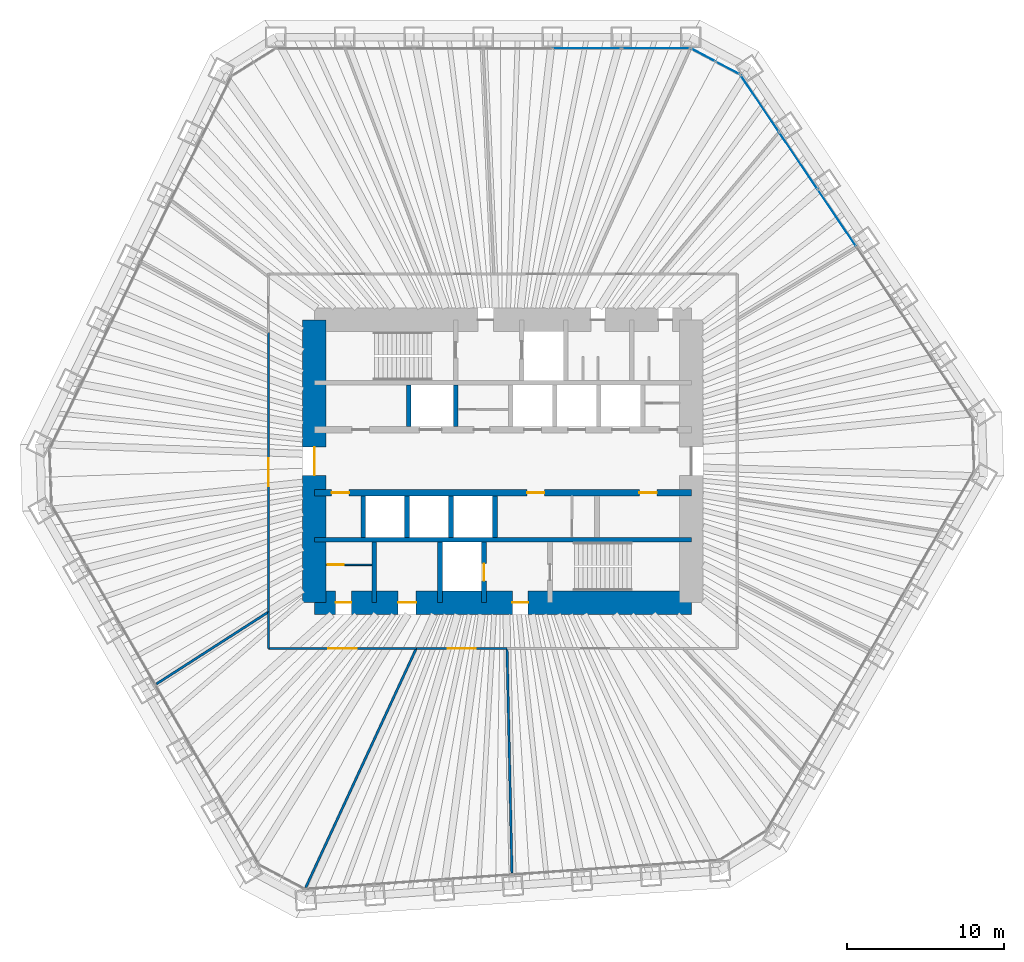
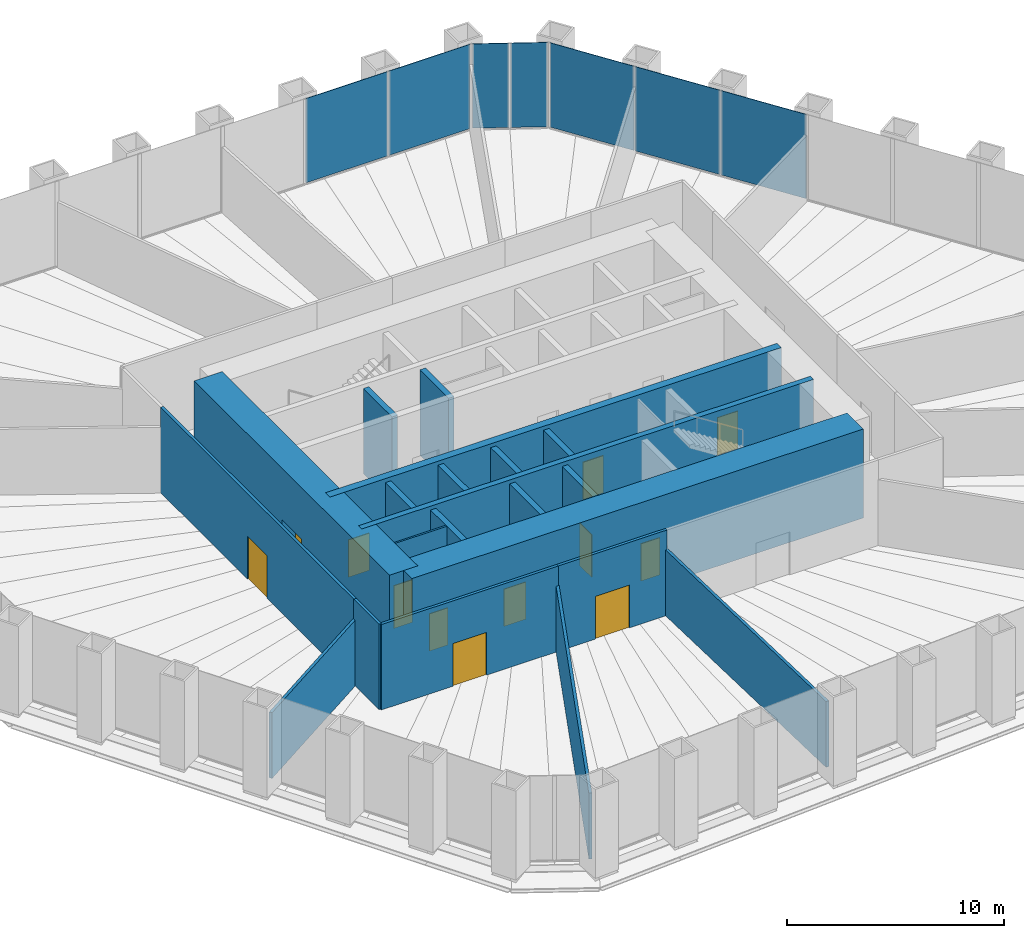
# One storey, part 10 of 14: 21 walls, 12 doors, 7 plates, 12 openings, 3 elements without a shape of their own.
"""IFC4 building model written with IfcOpenShell, lengths in metres."""

from ifc_helpers import new_model, si_unit, direction, frame, frame_2d, origin, origin_2d, place, context, subcontext, project, spatial, rectangle, extrude, material, layer, layer_set, type_object, element, fill, aggregate, save


model = new_model("IFC4")

# Units and contexts
model_context = context("Model", 3, precision=1e-05, world=origin(), true_north=direction((0.0, 1.0)))
body_context = subcontext(model_context, "Body", "Model", "MODEL_VIEW")
ifc_project = project(units=[si_unit("LENGTHUNIT", "METRE"), si_unit("AREAUNIT", "SQUARE_METRE"), si_unit("VOLUMEUNIT", "CUBIC_METRE"), si_unit("PLANEANGLEUNIT", "RADIAN"), si_unit("MASSUNIT", "GRAM", prefix="KILO")], contexts=[model_context])

# Site, building, storey
site_placement = place(None, origin())
site = spatial("IfcSite", under=ifc_project, at=site_placement, CompositionType="ELEMENT")
building_placement = place(site_placement, origin())
building = spatial("IfcBuilding", under=site, at=building_placement, Name="Qingtian Harvest Tower", CompositionType="ELEMENT")
storey_placement = place(building_placement, frame((0.0, 0.0, 57.0)))
storey = spatial("IfcBuildingStorey", under=building, at=storey_placement, Name="L11", CompositionType="ELEMENT", Elevation=57.0)

# Curtain wall, plates
ifc_material_1 = material(Name="Bronze-anodised aluminium curtain wall", Category="aluminium")
curtain_wall_type = type_object("IfcCurtainWallType", Name="Curtain wall CW2 farm reception", PredefinedType="USERDEFINED", material=ifc_material_1)
curtain_wall_1_placement = place(storey_placement, origin())
curtain_wall_1 = element("IfcCurtainWall", 1, at=curtain_wall_1_placement, inside=storey, type_object=curtain_wall_type, Name="Curtain wall CW2 L11 N0-5", ObjectType="RECESSED CURTAIN WALL", PredefinedType="USERDEFINED")
ifc_material_2 = material(Name="Bronze-tinted laminated insulating glass", Category="glass")
ifc_layer_1 = layer(ifc_material_2, 0.030029296875)
ifc_layer_set_1 = layer_set([ifc_layer_1], Name="Glazed panel CWP tinted IGU")
plate_type = type_object("IfcPlateType", Name="Glazed panel CWP tinted IGU", PredefinedType="CURTAIN_PANEL", material=ifc_layer_set_1)
plate_1_placement = place(storey_placement, frame((5.349365234375, 26.300048828125, 0.06494140625), z_axis=(0.0, 0.0, 1.0), x_axis=(1.0, 0.0, 0.0)))
plate_1 = element("IfcPlate", 2, at=plate_1_placement, type_object=plate_type, Name="CW2 panel 5.1", PredefinedType="CURTAIN_PANEL", context=body_context, shape_type="SweptSolid", body=[
    extrude(rectangle(XDim=4.339599609375, YDim=0.030029296875, at=origin_2d()), origin(), (0.0, 0.0, 1.0), 4.735107421875),
])
plate_2_placement = place(storey_placement, frame((9.737548828125, 26.300048828125, 0.06494140625), z_axis=(0.0, 0.0, 1.0), x_axis=(1.0, 0.0, 0.0)))
plate_2 = element("IfcPlate", 3, at=plate_2_placement, type_object=plate_type, Name="CW2 panel 6.1", PredefinedType="CURTAIN_PANEL", context=body_context, shape_type="SweptSolid", body=[
    extrude(rectangle(XDim=4.30712890625, YDim=0.030029296875, at=origin_2d()), origin(), (0.0, 0.0, 1.0), 4.735107421875),
])
aggregate(curtain_wall_1, [plate_1, plate_2])

curtain_wall_2_placement = place(storey_placement, origin())
curtain_wall_2 = element("IfcCurtainWall", 4, at=curtain_wall_2_placement, inside=storey, type_object=curtain_wall_type, Name="Curtain wall CW2 L11 NC", ObjectType="RECESSED CURTAIN WALL", PredefinedType="USERDEFINED")
plate_3_placement = place(storey_placement, frame((12.760986328125, 25.8720703125, 0.06494140625), z_axis=(0.0, 0.0, 1.0), x_axis=(0.882947592859, -0.469471562786, 0.0)))
plate_3 = element("IfcPlate", 5, at=plate_3_placement, type_object=plate_type, Name="CW2 panel 1.1", PredefinedType="CURTAIN_PANEL", context=body_context, shape_type="SweptSolid", body=[
    extrude(rectangle(XDim=1.69287109375, YDim=0.030029296875, at=origin_2d()), origin(), (0.0, 0.0, 1.0), 4.735107421875),
])
plate_4_placement = place(storey_placement, frame((14.31298828125, 25.046875, 0.06494140625), z_axis=(0.0, 0.0, 1.0), x_axis=(0.882947592859, -0.469471562786, 0.0)))
plate_4 = element("IfcPlate", 6, at=plate_4_placement, type_object=plate_type, Name="CW2 panel 2.1", PredefinedType="CURTAIN_PANEL", context=body_context, shape_type="SweptSolid", body=[
    extrude(rectangle(XDim=1.69287109375, YDim=0.030029296875, at=origin_2d()), origin(), (0.0, 0.0, 1.0), 4.735107421875),
])
aggregate(curtain_wall_2, [plate_3, plate_4])

curtain_wall_3_placement = place(storey_placement, origin())
curtain_wall_3 = element("IfcCurtainWall", 7, at=curtain_wall_3_placement, inside=storey, type_object=curtain_wall_type, Name="Curtain wall CW2 L11 NE0-5", ObjectType="RECESSED CURTAIN WALL", PredefinedType="USERDEFINED")
plate_5_placement = place(storey_placement, frame((16.3583984375, 22.779541015625, 0.06494140625), z_axis=(0.0, 0.0, 1.0), x_axis=(0.559192903471, -0.829037572555, 0.0)))
plate_5 = element("IfcPlate", 8, at=plate_5_placement, type_object=plate_type, Name="CW2 panel 1.1", PredefinedType="CURTAIN_PANEL", context=body_context, shape_type="SweptSolid", body=[
    extrude(rectangle(XDim=4.30712890625, YDim=0.030029296875, at=origin_2d()), origin(), (0.0, 0.0, 1.0), 4.735107421875),
])
plate_6_placement = place(storey_placement, frame((18.8125, 19.1416015625, 0.06494140625), z_axis=(0.0, 0.0, 1.0), x_axis=(0.559192903471, -0.829037572555, 0.0)))
plate_6 = element("IfcPlate", 9, at=plate_6_placement, type_object=plate_type, Name="CW2 panel 2.1", PredefinedType="CURTAIN_PANEL", context=body_context, shape_type="SweptSolid", body=[
    extrude(rectangle(XDim=4.339599609375, YDim=0.030029296875, at=origin_2d()), origin(), (0.0, 0.0, 1.0), 4.735107421875),
])
plate_7_placement = place(storey_placement, frame((21.275390625, 15.489990234375, 0.06494140625), z_axis=(0.0, 0.0, 1.0), x_axis=(0.559192903471, -0.829037572555, 0.0)))
plate_7 = element("IfcPlate", 10, at=plate_7_placement, type_object=plate_type, Name="CW2 panel 3.1", PredefinedType="CURTAIN_PANEL", context=body_context, shape_type="SweptSolid", body=[
    extrude(rectangle(XDim=4.339599609375, YDim=0.030029296875, at=origin_2d()), origin(), (0.0, 0.0, 1.0), 4.735107421875),
])
aggregate(curtain_wall_3, [plate_5, plate_6, plate_7])

# Wall
ifc_material_3 = material(Name="Concrete fc' 70 MPa", Category="concrete")
ifc_layer_2 = layer(ifc_material_3, 0.300048828125)
ifc_layer_set_2 = layer_set([ifc_layer_2], Name="Core inner wall RC5 300")
wall_type_1 = type_object("IfcWallType", Name="Core inner wall RC5 300", PredefinedType="SHEAR", material=ifc_layer_set_2)
wall_1_placement = place(storey_placement, frame((-12.0, -5.0, 0.0), z_axis=(0.0, 0.0, 1.0), x_axis=(1.0, 0.0, 0.0)))
element("IfcWall", 11, at=wall_1_placement, inside=storey, type_object=wall_type_1, Name="Core wall IS5 L11", PredefinedType="SHEAR", context=body_context, shape_type="SweptSolid", body=[
    extrude(rectangle(XDim=24.0, YDim=0.300048828125, at=frame_2d((12.0, 0.0))), origin(), (0.0, 0.0, 1.0), 5.0),
])

# Wall, openings, doors
ifc_material_4 = material(Name="Concrete fc' 70 MPa", Category="concrete")
ifc_layer_3 = layer(ifc_material_4, 0.39990234375)
ifc_layer_set_3 = layer_set([ifc_layer_3], Name="Core inner web RC6 400")
wall_type_2 = type_object("IfcWallType", Name="Core inner web RC6 400", PredefinedType="SHEAR", material=ifc_layer_set_3)
wall_2_placement = place(storey_placement, frame((-12.0, -2.0, 0.0), z_axis=(0.0, 0.0, 1.0), x_axis=(1.0, 0.0, 0.0)))
wall_2 = element("IfcWall", 12, at=wall_2_placement, inside=storey, type_object=wall_type_2, Name="Core wall IS2 L11", PredefinedType="SHEAR", context=body_context, shape_type="SweptSolid", body=[
    extrude(rectangle(XDim=24.0, YDim=0.39990234375, at=frame_2d((12.0, 0.0))), origin(), (0.0, 0.0, 1.0), 5.0),
])
opening_1_placement = place(wall_2_placement, frame((1.10009765625, 0.0, 0.0)))
opening_1 = element("IfcOpeningElement", 13, at=opening_1_placement, cuts=wall_2, Name="Opening FD4", PredefinedType="OPENING", context=body_context, shape_type="SweptSolid", body=[
    extrude(rectangle(XDim=1.10009765625, YDim=2.10009765625, at=frame_2d((0.550048828125, 1.050048828125))), frame((0.0, 0.2099609375, 0.0), z_axis=(0.0, -1.0, 0.0), x_axis=(1.0, 0.0, 0.0)), (0.0, 0.0, 1.0), 0.419921875),
])
opening_2_placement = place(wall_2_placement, frame((13.550048828125, 0.0, 0.0)))
opening_2 = element("IfcOpeningElement", 14, at=opening_2_placement, cuts=wall_2, Name="Opening FD4", PredefinedType="OPENING", context=body_context, shape_type="SweptSolid", body=[
    extrude(rectangle(XDim=1.10009765625, YDim=2.10009765625, at=frame_2d((0.550048828125, 1.050048828125))), frame((0.0, 0.2099609375, 0.0), z_axis=(0.0, -1.0, 0.0), x_axis=(1.0, 0.0, 0.0)), (0.0, 0.0, 1.0), 0.419921875),
])
opening_3_placement = place(wall_2_placement, frame((20.699951171875, 0.0, 0.0)))
opening_3 = element("IfcOpeningElement", 15, at=opening_3_placement, cuts=wall_2, Name="Opening FD4", PredefinedType="OPENING", context=body_context, shape_type="SweptSolid", body=[
    extrude(rectangle(XDim=1.10009765625, YDim=2.10009765625, at=frame_2d((0.550048828125, 1.050048828125))), frame((0.0, 0.2099609375, 0.0), z_axis=(0.0, -1.0, 0.0), x_axis=(1.0, 0.0, 0.0)), (0.0, 0.0, 1.0), 0.419921875),
])
ifc_material_5 = material(Name="Steel-faced door leaf", Category="steel")
door_type_1 = type_object("IfcDoorType", Name="Fire door FD4 single 2 HR", OperationType="SINGLE_SWING_LEFT", PredefinedType="DOOR", material=ifc_material_5)
door_1_placement = place(opening_1_placement, origin())
door_1 = element("IfcDoor", 16, at=door_1_placement, inside=storey, type_object=door_type_1, Name="RB door L11", OperationType="SINGLE_SWING_RIGHT", OverallHeight=2.10009765625, OverallWidth=1.10009765625, PredefinedType="DOOR", context=body_context, shape_type="SweptSolid", body=[
    extrude(rectangle(XDim=1.10009765625, YDim=2.10009765625, at=frame_2d((0.550048828125, 1.050048828125))), frame((0.0, 0.02490234375, 0.0), z_axis=(0.0, -1.0, 0.0), x_axis=(1.0, 0.0, 0.0)), (0.0, 0.0, 1.0), 0.050048828125),
])
fill(opening_1, door_1)
door_2_placement = place(opening_2_placement, origin())
door_2 = element("IfcDoor", 17, at=door_2_placement, inside=storey, type_object=door_type_1, Name="ELEC door L11", OperationType="SINGLE_SWING_RIGHT", OverallHeight=2.10009765625, OverallWidth=1.10009765625, PredefinedType="DOOR", context=body_context, shape_type="SweptSolid", body=[
    extrude(rectangle(XDim=1.10009765625, YDim=2.10009765625, at=frame_2d((0.550048828125, 1.050048828125))), frame((0.0, 0.02490234375, 0.0), z_axis=(0.0, -1.0, 0.0), x_axis=(1.0, 0.0, 0.0)), (0.0, 0.0, 1.0), 0.050048828125),
])
fill(opening_2, door_2)
door_3_placement = place(opening_3_placement, origin())
door_3 = element("IfcDoor", 18, at=door_3_placement, inside=storey, type_object=door_type_1, Name="DUCT door L11", OperationType="SINGLE_SWING_LEFT", OverallHeight=2.10009765625, OverallWidth=1.10009765625, PredefinedType="DOOR", context=body_context, shape_type="SweptSolid", body=[
    extrude(rectangle(XDim=1.10009765625, YDim=2.10009765625, at=frame_2d((0.550048828125, 1.050048828125))), frame((0.0, 0.02490234375, 0.0), z_axis=(0.0, -1.0, 0.0), x_axis=(1.0, 0.0, 0.0)), (0.0, 0.0, 1.0), 0.050048828125),
])
fill(opening_3, door_3)

# Walls
ifc_material_6 = material(Name="Precast concrete shaft panel", Category="concrete")
ifc_layer_4 = layer(ifc_material_6, 0.300048828125)
ifc_layer_set_4 = layer_set([ifc_layer_4], Name="Core shaft partition SW1 300")
wall_type_3 = type_object("IfcWallType", Name="Core shaft partition SW1 300", PredefinedType="PARTITIONING", material=ifc_layer_set_4)
for number, where, z_axis, x_axis, name in (
    (19, (-6.0, 2.199951171875, 0.0), (0.0, 0.0, 1.0), (0.0, 1.0, 0.0), "Core shaft partition XA1 L11"),
    (20, (-3.0, 2.199951171875, 0.0), (0.0, 0.0, 1.0), (0.0, 1.0, 0.0), "Core shaft partition XA2 L11"),
    (21, (-8.89990234375, -4.85009765625, 0.0), (0.0, 0.0, 1.0), (0.0, 1.0, 0.0), "Core shaft partition XB1 L11"),
    (22, (-6.10009765625, -4.85009765625, 0.0), (0.0, 0.0, 1.0), (0.0, 1.0, 0.0), "Core shaft partition XB2 L11"),
    (23, (-3.300048828125, -4.85009765625, 0.0), (0.0, 0.0, 1.0), (0.0, 1.0, 0.0), "Core shaft partition XB3 L11"),
    (24, (-0.5, -4.85009765625, 0.0), (0.0, 0.0, 1.0), (0.0, 1.0, 0.0), "Core shaft partition XB4 L11"),
):
    element("IfcWall", number, at=place(storey_placement, frame(where, z_axis=z_axis, x_axis=x_axis)), inside=storey, type_object=wall_type_3, Name=name, PredefinedType="PARTITIONING", context=body_context, shape_type="SweptSolid", body=[
        extrude(rectangle(XDim=2.650146484375, YDim=0.300048828125, at=frame_2d((1.3251953125, 0.0))), origin(), (0.0, 0.0, 1.0), 4.780029296875),
    ])
for number, where, z_axis, x_axis, name in (
    (25, (-8.199951171875, -9.0, 0.0), (0.0, 0.0, 1.0), (0.0, 1.0, 0.0), "Core shaft partition XS1 L11"),
    (26, (-4.0, -9.0, 0.0), (0.0, 0.0, 1.0), (0.0, 1.0, 0.0), "Core shaft partition XS2 L11"),
):
    element("IfcWall", number, at=place(storey_placement, frame(where, z_axis=z_axis, x_axis=x_axis)), inside=storey, type_object=wall_type_3, Name=name, PredefinedType="PARTITIONING", context=body_context, shape_type="SweptSolid", body=[
        extrude(rectangle(XDim=3.85009765625, YDim=0.300048828125, at=frame_2d((1.925048828125, 0.0))), origin(), (0.0, 0.0, 1.0), 4.780029296875),
    ])

# Wall, opening, door
wall_3_placement = place(storey_placement, frame((-1.199951171875, -9.0, 0.0), z_axis=(0.0, 0.0, 1.0), x_axis=(0.0, 1.0, 0.0)))
wall_3 = element("IfcWall", 27, at=wall_3_placement, inside=storey, type_object=wall_type_3, Name="Core shaft partition XS3 L11", PredefinedType="PARTITIONING", context=body_context, shape_type="SweptSolid", body=[
    extrude(rectangle(XDim=3.85009765625, YDim=0.300048828125, at=frame_2d((1.925048828125, 0.0))), origin(), (0.0, 0.0, 1.0), 4.780029296875),
])
opening_4_placement = place(wall_3_placement, frame((1.375, 0.0, 0.0)))
opening_4 = element("IfcOpeningElement", 28, at=opening_4_placement, cuts=wall_3, Name="Opening LD1", PredefinedType="OPENING", context=body_context, shape_type="SweptSolid", body=[
    extrude(rectangle(XDim=1.10009765625, YDim=2.39990234375, at=frame_2d((0.550048828125, 1.199951171875))), frame((0.0, 0.159912109375, 0.0), z_axis=(0.0, -1.0, 0.0), x_axis=(1.0, 0.0, 0.0)), (0.0, 0.0, 1.0), 0.320068359375),
])
ifc_material_7 = material(Name="Stainless steel lift landing door", Category="steel")
door_type_2 = type_object("IfcDoorType", Name="Lift landing door LD1 1 HR", OperationType="DOUBLE_DOOR_SLIDING", PredefinedType="DOOR", material=ifc_material_7)
door_4_placement = place(opening_4_placement, origin())
door_4 = element("IfcDoor", 29, at=door_4_placement, inside=storey, type_object=door_type_2, Name="FL2 landing door L11", OperationType="DOUBLE_DOOR_SLIDING", OverallHeight=2.39990234375, OverallWidth=1.10009765625, PredefinedType="DOOR", context=body_context, shape_type="SweptSolid", body=[
    extrude(rectangle(XDim=1.10009765625, YDim=2.39990234375, at=frame_2d((0.550048828125, 1.199951171875))), frame((0.0, 0.02490234375, 0.0), z_axis=(0.0, -1.0, 0.0), x_axis=(1.0, 0.0, 0.0)), (0.0, 0.0, 1.0), 0.050048828125),
])
fill(opening_4, door_4)

# Wall, openings, doors
ifc_material_8 = material(Name="Concrete fc' 70 MPa", Category="concrete")
ifc_layer_5 = layer(ifc_material_8, 1.5)
ifc_layer_set_5 = layer_set([ifc_layer_5], Name="Core wall RC1 1500")
wall_type_4 = type_object("IfcWallType", Name="Core wall RC1 1500", PredefinedType="SHEAR", material=ifc_layer_set_5)
wall_4_placement = place(storey_placement, frame((-12.0, -9.0, 0.0), z_axis=(0.0, 0.0, 1.0), x_axis=(1.0, 0.0, 0.0)))
wall_4 = element("IfcWall", 30, at=wall_4_placement, inside=storey, type_object=wall_type_4, Name="Core wall CS L11", PredefinedType="SHEAR", context=body_context, shape_type="SweptSolid", body=[
    extrude(rectangle(XDim=24.0, YDim=1.5, at=frame_2d((12.0, 0.0))), origin(), (0.0, 0.0, 1.0), 5.0),
])
opening_5_placement = place(wall_4_placement, frame((1.35009765625, 0.0, 0.0)))
opening_5 = element("IfcOpeningElement", 31, at=opening_5_placement, cuts=wall_4, Name="Opening FD1", PredefinedType="OPENING", context=body_context, shape_type="SweptSolid", body=[
    extrude(rectangle(XDim=1.0, YDim=2.10009765625, at=frame_2d((0.5, 1.050048828125))), frame((0.0, 0.760009765625, 0.0), z_axis=(0.0, -1.0, 0.0), x_axis=(1.0, 0.0, 0.0)), (0.0, 0.0, 1.0), 1.52001953125),
])
opening_6_placement = place(wall_4_placement, frame((5.324951171875, 0.0, 0.0)))
opening_6 = element("IfcOpeningElement", 32, at=opening_6_placement, cuts=wall_4, Name="Opening AD1", PredefinedType="OPENING", context=body_context, shape_type="SweptSolid", body=[
    extrude(rectangle(XDim=1.14990234375, YDim=2.10009765625, at=frame_2d((0.574951171875, 1.050048828125))), frame((0.0, 0.760009765625, 0.0), z_axis=(0.0, -1.0, 0.0), x_axis=(1.0, 0.0, 0.0)), (0.0, 0.0, 1.0), 1.52001953125),
])
opening_7_placement = place(wall_4_placement, frame((12.60009765625, 0.0, 0.0)))
opening_7 = element("IfcOpeningElement", 33, at=opening_7_placement, cuts=wall_4, Name="Opening FD1", PredefinedType="OPENING", context=body_context, shape_type="SweptSolid", body=[
    extrude(rectangle(XDim=1.0, YDim=2.10009765625, at=frame_2d((0.5, 1.050048828125))), frame((0.0, 0.760009765625, 0.0), z_axis=(0.0, -1.0, 0.0), x_axis=(1.0, 0.0, 0.0)), (0.0, 0.0, 1.0), 1.52001953125),
])
ifc_material_9 = material(Name="Laminated timber door leaf", Category="wood")
door_type_3 = type_object("IfcDoorType", Name="Accessible WC door AD1 single", OperationType="SINGLE_SWING_LEFT", PredefinedType="DOOR", material=ifc_material_9)
door_5_placement = place(opening_6_placement, origin())
door_5 = element("IfcDoor", 34, at=door_5_placement, inside=storey, type_object=door_type_3, Name="AWC door L11", OperationType="SINGLE_SWING_RIGHT", OverallHeight=2.10009765625, OverallWidth=1.14990234375, PredefinedType="DOOR", context=body_context, shape_type="SweptSolid", body=[
    extrude(rectangle(XDim=1.14990234375, YDim=2.10009765625, at=frame_2d((0.574951171875, 1.050048828125))), frame((0.0, 0.02490234375, 0.0), z_axis=(0.0, -1.0, 0.0), x_axis=(1.0, 0.0, 0.0)), (0.0, 0.0, 1.0), 0.050048828125),
])
fill(opening_6, door_5)
ifc_material_10 = material(Name="Steel-faced door leaf", Category="steel")
door_type_4 = type_object("IfcDoorType", Name="Fire door FD1 single 1 HR", OperationType="SINGLE_SWING_LEFT", PredefinedType="DOOR", material=ifc_material_10)
door_6_placement = place(opening_5_placement, origin())
door_6 = element("IfcDoor", 35, at=door_6_placement, inside=storey, type_object=door_type_4, Name="CLN door L11", OperationType="SINGLE_SWING_LEFT", OverallHeight=2.10009765625, OverallWidth=1.0, PredefinedType="DOOR", context=body_context, shape_type="SweptSolid", body=[
    extrude(rectangle(XDim=1.0, YDim=2.10009765625, at=frame_2d((0.5, 1.050048828125))), frame((0.0, 0.02490234375, 0.0), z_axis=(0.0, -1.0, 0.0), x_axis=(1.0, 0.0, 0.0)), (0.0, 0.0, 1.0), 0.050048828125),
])
fill(opening_5, door_6)
door_7_placement = place(opening_7_placement, origin())
door_7 = element("IfcDoor", 36, at=door_7_placement, inside=storey, type_object=door_type_4, Name="V2 door L11", OperationType="SINGLE_SWING_LEFT", OverallHeight=2.10009765625, OverallWidth=1.0, PredefinedType="DOOR", context=body_context, shape_type="SweptSolid", body=[
    extrude(rectangle(XDim=1.0, YDim=2.10009765625, at=frame_2d((0.5, 1.050048828125))), frame((0.0, 0.02490234375, 0.0), z_axis=(0.0, -1.0, 0.0), x_axis=(1.0, 0.0, 0.0)), (0.0, 0.0, 1.0), 0.050048828125),
])
fill(opening_7, door_7)

# Wall, opening, door
wall_5_placement = place(storey_placement, frame((-12.0, -9.0, 0.0), z_axis=(0.0, 0.0, 1.0), x_axis=(0.0, 1.0, 0.0)))
wall_5 = element("IfcWall", 37, at=wall_5_placement, inside=storey, type_object=wall_type_4, Name="Core wall CW L11", PredefinedType="SHEAR", context=body_context, shape_type="SweptSolid", body=[
    extrude(rectangle(XDim=18.0, YDim=1.5, at=frame_2d((9.0, 0.0))), origin(), (0.0, 0.0, 1.0), 5.0),
])
opening_8_placement = place(wall_5_placement, frame((8.10009765625, 0.0, 0.0)))
opening_8 = element("IfcOpeningElement", 38, at=opening_8_placement, cuts=wall_5, Name="Opening FD2", PredefinedType="OPENING", context=body_context, shape_type="SweptSolid", body=[
    extrude(rectangle(XDim=1.800048828125, YDim=2.10009765625, at=frame_2d((0.89990234375, 1.050048828125))), frame((0.0, 0.760009765625, 0.0), z_axis=(0.0, -1.0, 0.0), x_axis=(1.0, 0.0, 0.0)), (0.0, 0.0, 1.0), 1.52001953125),
])
ifc_material_11 = material(Name="Steel-faced door leaf", Category="steel")
door_type_5 = type_object("IfcDoorType", Name="Fire door FD2 double 1 HR", OperationType="DOUBLE_DOOR_DOUBLE_SWING", PredefinedType="DOOR", material=ifc_material_11)
door_8_placement = place(opening_8_placement, origin())
door_8 = element("IfcDoor", 39, at=door_8_placement, inside=storey, type_object=door_type_5, Name="LOBBY-W door L11", OperationType="DOUBLE_DOOR_DOUBLE_SWING", OverallHeight=2.10009765625, OverallWidth=1.800048828125, PredefinedType="DOOR", context=body_context, shape_type="SweptSolid", body=[
    extrude(rectangle(XDim=1.800048828125, YDim=2.10009765625, at=frame_2d((0.89990234375, 1.050048828125))), frame((0.0, 0.02490234375, 0.0), z_axis=(0.0, -1.0, 0.0), x_axis=(1.0, 0.0, 0.0)), (0.0, 0.0, 1.0), 0.050048828125),
])
fill(opening_8, door_8)

# Wall
ifc_material_12 = material(Name="Gypsum board on steel studs", Category="steel")
ifc_layer_6 = layer(ifc_material_12, 0.14990234375)
ifc_layer_set_6 = layer_set([ifc_layer_6], Name="Partition PT1 150")
wall_type_5 = type_object("IfcWallType", Name="Partition PT1 150", PredefinedType="PARTITIONING", material=ifc_layer_set_6)
wall_6_placement = place(storey_placement, frame((0.577880859375, -26.2236328125, 0.0), z_axis=(0.0, 0.0, 1.0), x_axis=(-0.022037776667, 0.999757138709, 0.0)))
element("IfcWall", 40, at=wall_6_placement, inside=storey, type_object=wall_type_5, Name="Herb drying room wall L11", PredefinedType="PARTITIONING", context=body_context, shape_type="SweptSolid", body=[
    extrude(rectangle(XDim=14.302001953125, YDim=0.14990234375, at=frame_2d((7.15087890625, 0.0))), origin(), (0.0, 0.0, 1.0), 3.699951171875),
])

# Wall, opening, door
wall_7_placement = place(storey_placement, frame((0.2626953125, -11.925048828125, 0.0), z_axis=(0.0, 0.0, 1.0), x_axis=(-1.0, 0.0, 0.0)))
wall_7 = element("IfcWall", 41, at=wall_7_placement, inside=storey, type_object=wall_type_5, Name="Herb drying room wall L11", PredefinedType="PARTITIONING", context=body_context, shape_type="SweptSolid", body=[
    extrude(rectangle(XDim=5.7783203125, YDim=0.14990234375, at=frame_2d((2.88916015625, 0.0))), origin(), (0.0, 0.0, 1.0), 4.800048828125),
])
opening_9_placement = place(wall_7_placement, frame((1.9892578125, 0.0, 0.0)))
opening_9 = element("IfcOpeningElement", 42, at=opening_9_placement, cuts=wall_7, Name="Opening D3", PredefinedType="OPENING", context=body_context, shape_type="SweptSolid", body=[
    extrude(rectangle(XDim=1.800048828125, YDim=2.39990234375, at=frame_2d((0.89990234375, 1.199951171875))), frame((0.0, 0.0849609375, 0.0), z_axis=(0.0, -1.0, 0.0), x_axis=(1.0, 0.0, 0.0)), (0.0, 0.0, 1.0), 0.169921875),
])
ifc_material_13 = material(Name="Laminated timber door leaf", Category="wood")
door_type_6 = type_object("IfcDoorType", Name="Room door D3 double", OperationType="DOUBLE_DOOR_DOUBLE_SWING", PredefinedType="DOOR", material=ifc_material_13)
door_9_placement = place(opening_9_placement, origin())
door_9 = element("IfcDoor", 43, at=door_9_placement, inside=storey, type_object=door_type_6, Name="Herb drying room door L11", OperationType="DOUBLE_DOOR_DOUBLE_SWING", OverallHeight=2.39990234375, OverallWidth=1.800048828125, PredefinedType="DOOR", context=body_context, shape_type="SweptSolid", body=[
    extrude(rectangle(XDim=1.800048828125, YDim=2.39990234375, at=frame_2d((0.89990234375, 1.199951171875))), frame((0.0, 0.02490234375, 0.0), z_axis=(0.0, -1.0, 0.0), x_axis=(1.0, 0.0, 0.0)), (0.0, 0.0, 1.0), 0.050048828125),
])
fill(opening_9, door_9)

# Wall
wall_8_placement = place(storey_placement, frame((-12.5595703125, -27.154541015625, 0.0), z_axis=(0.0, 0.0, 1.0), x_axis=(0.41979248878, 0.90762011126, 0.0)))
element("IfcWall", 44, at=wall_8_placement, inside=storey, type_object=wall_type_5, Name="Herb growing room wall L11", PredefinedType="PARTITIONING", context=body_context, shape_type="SweptSolid", body=[
    extrude(rectangle(XDim=16.779541015625, YDim=0.14990234375, at=frame_2d((8.3896484375, 0.0))), origin(), (0.0, 0.0, 1.0), 3.699951171875),
])

# Wall, opening, door
wall_9_placement = place(storey_placement, frame((-5.515625, -11.925048828125, 0.0), z_axis=(0.0, 0.0, 1.0), x_axis=(-1.0, 0.0, 0.0)))
wall_9 = element("IfcWall", 45, at=wall_9_placement, inside=storey, type_object=wall_type_5, Name="Herb growing room wall L11", PredefinedType="PARTITIONING", context=body_context, shape_type="SweptSolid", body=[
    extrude(rectangle(XDim=9.409423828125, YDim=0.14990234375, at=frame_2d((4.70458984375, 0.0))), origin(), (0.0, 0.0, 1.0), 4.800048828125),
])
opening_10_placement = place(wall_9_placement, frame((3.8046875, 0.0, 0.0)))
opening_10 = element("IfcOpeningElement", 46, at=opening_10_placement, cuts=wall_9, Name="Opening D3", PredefinedType="OPENING", context=body_context, shape_type="SweptSolid", body=[
    extrude(rectangle(XDim=1.800048828125, YDim=2.39990234375, at=frame_2d((0.89990234375, 1.199951171875))), frame((0.0, 0.0849609375, 0.0), z_axis=(0.0, -1.0, 0.0), x_axis=(1.0, 0.0, 0.0)), (0.0, 0.0, 1.0), 0.169921875),
])
door_10_placement = place(opening_10_placement, origin())
door_10 = element("IfcDoor", 47, at=door_10_placement, inside=storey, type_object=door_type_6, Name="Herb growing room door L11", OperationType="DOUBLE_DOOR_DOUBLE_SWING", OverallHeight=2.39990234375, OverallWidth=1.800048828125, PredefinedType="DOOR", context=body_context, shape_type="SweptSolid", body=[
    extrude(rectangle(XDim=1.800048828125, YDim=2.39990234375, at=frame_2d((0.89990234375, 1.199951171875))), frame((0.0, 0.02490234375, 0.0), z_axis=(0.0, -1.0, 0.0), x_axis=(1.0, 0.0, 0.0)), (0.0, 0.0, 1.0), 0.050048828125),
])
fill(opening_10, door_10)

# Walls
wall_10_placement = place(storey_placement, frame((-14.925048828125, -11.925048828125, 0.0), z_axis=(0.0, 0.0, 1.0), x_axis=(0.0, 1.0, 0.0)))
element("IfcWall", 48, at=wall_10_placement, inside=storey, type_object=wall_type_5, Name="Herb growing room wall L11", PredefinedType="PARTITIONING", context=body_context, shape_type="SweptSolid", body=[
    extrude(rectangle(XDim=2.329345703125, YDim=0.14990234375, at=frame_2d((1.16455078125, 0.0))), origin(), (0.0, 0.0, 1.0), 4.800048828125),
])
wall_11_placement = place(storey_placement, frame((-22.0634765625, -14.18505859375, 0.0), z_axis=(0.0, 0.0, 1.0), x_axis=(0.841158845851, 0.540788124912, 0.0)))
element("IfcWall", 49, at=wall_11_placement, inside=storey, type_object=wall_type_5, Name="Basil growing room wall L11", PredefinedType="PARTITIONING", context=body_context, shape_type="SweptSolid", body=[
    extrude(rectangle(XDim=8.486328125, YDim=0.14990234375, at=frame_2d((4.2431640625, 0.0))), origin(), (0.0, 0.0, 1.0), 3.699951171875),
])

# Wall, opening, door
wall_12_placement = place(storey_placement, frame((-14.925048828125, -9.595703125, 0.0), z_axis=(0.0, 0.0, 1.0), x_axis=(0.0, 1.0, 0.0)))
wall_12 = element("IfcWall", 50, at=wall_12_placement, inside=storey, type_object=wall_type_5, Name="Basil growing room wall L11", PredefinedType="PARTITIONING", context=body_context, shape_type="SweptSolid", body=[
    extrude(rectangle(XDim=17.77978515625, YDim=0.14990234375, at=frame_2d((8.889892578125, 0.0))), origin(), (0.0, 0.0, 1.0), 4.800048828125),
])
opening_11_placement = place(wall_12_placement, frame((7.98974609375, 0.0, 0.0)))
opening_11 = element("IfcOpeningElement", 51, at=opening_11_placement, cuts=wall_12, Name="Opening D3", PredefinedType="OPENING", context=body_context, shape_type="SweptSolid", body=[
    extrude(rectangle(XDim=1.800048828125, YDim=2.39990234375, at=frame_2d((0.89990234375, 1.199951171875))), frame((0.0, 0.0849609375, 0.0), z_axis=(0.0, -1.0, 0.0), x_axis=(1.0, 0.0, 0.0)), (0.0, 0.0, 1.0), 0.169921875),
])
door_11_placement = place(opening_11_placement, origin())
door_11 = element("IfcDoor", 52, at=door_11_placement, inside=storey, type_object=door_type_6, Name="Basil growing room door L11", OperationType="DOUBLE_DOOR_DOUBLE_SWING", OverallHeight=2.39990234375, OverallWidth=1.800048828125, PredefinedType="DOOR", context=body_context, shape_type="SweptSolid", body=[
    extrude(rectangle(XDim=1.800048828125, YDim=2.39990234375, at=frame_2d((0.89990234375, 1.199951171875))), frame((0.0, 0.02490234375, 0.0), z_axis=(0.0, -1.0, 0.0), x_axis=(1.0, 0.0, 0.0)), (0.0, 0.0, 1.0), 0.050048828125),
])
fill(opening_11, door_11)

ifc_material_14 = material(Name="Concrete block partition", Category="concrete")
ifc_layer_7 = layer(ifc_material_14, 0.10009765625)
ifc_layer_set_7 = layer_set([ifc_layer_7], Name="Store partition PT3 100")
wall_type_6 = type_object("IfcWallType", Name="Store partition PT3 100", PredefinedType="PARTITIONING", material=ifc_layer_set_7)
wall_13_placement = place(storey_placement, frame((-11.25, -6.60009765625, 0.0), z_axis=(0.0, 0.0, 1.0), x_axis=(1.0, 0.0, 0.0)))
wall_13 = element("IfcWall", 53, at=wall_13_placement, inside=storey, type_object=wall_type_6, Name="Chemical store wall L11", PredefinedType="PARTITIONING", context=body_context, shape_type="SweptSolid", body=[
    extrude(rectangle(XDim=2.89990234375, YDim=0.10009765625, at=frame_2d((1.449951171875, 0.0))), origin(), (0.0, 0.0, 1.0), 4.780029296875),
])
opening_12_placement = place(wall_13_placement, frame((0.10009765625, 0.0, 0.0)))
opening_12 = element("IfcOpeningElement", 54, at=opening_12_placement, cuts=wall_13, Name="Opening D2", PredefinedType="OPENING", context=body_context, shape_type="SweptSolid", body=[
    extrude(rectangle(XDim=1.0, YDim=2.39990234375, at=frame_2d((0.5, 1.199951171875))), frame((0.0, 0.06005859375, 0.0), z_axis=(0.0, -1.0, 0.0), x_axis=(1.0, 0.0, 0.0)), (0.0, 0.0, 1.0), 0.1201171875),
])
ifc_material_15 = material(Name="Laminated timber door leaf", Category="wood")
door_type_7 = type_object("IfcDoorType", Name="Room door D2 single", OperationType="SINGLE_SWING_LEFT", PredefinedType="DOOR", material=ifc_material_15)
door_12_placement = place(opening_12_placement, origin())
door_12 = element("IfcDoor", 55, at=door_12_placement, inside=storey, type_object=door_type_7, Name="Chemical store door L11", OperationType="SINGLE_SWING_RIGHT", OverallHeight=2.39990234375, OverallWidth=1.0, PredefinedType="DOOR", context=body_context, shape_type="SweptSolid", body=[
    extrude(rectangle(XDim=1.0, YDim=2.39990234375, at=frame_2d((0.5, 1.199951171875))), frame((0.0, 0.02490234375, 0.0), z_axis=(0.0, -1.0, 0.0), x_axis=(1.0, 0.0, 0.0)), (0.0, 0.0, 1.0), 0.050048828125),
])
fill(opening_12, door_12)

save(model, "model.ifc")
